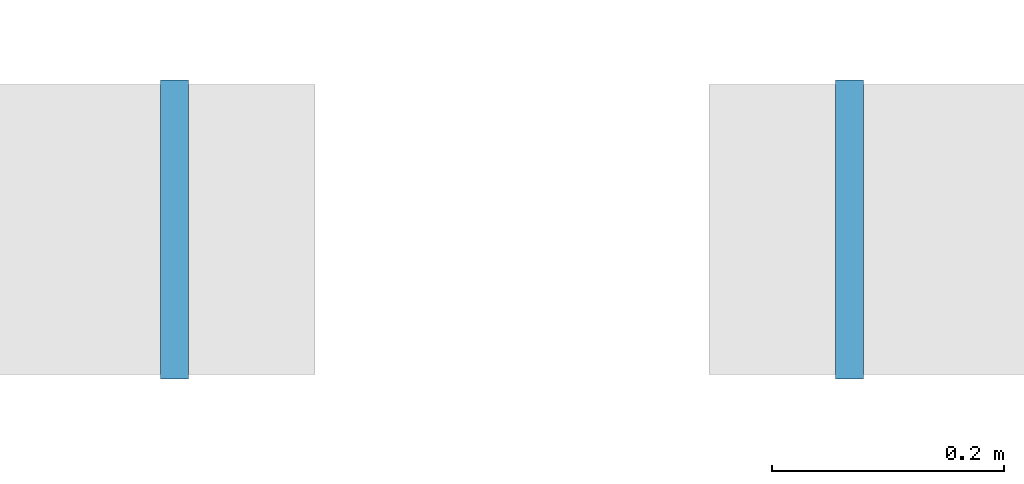
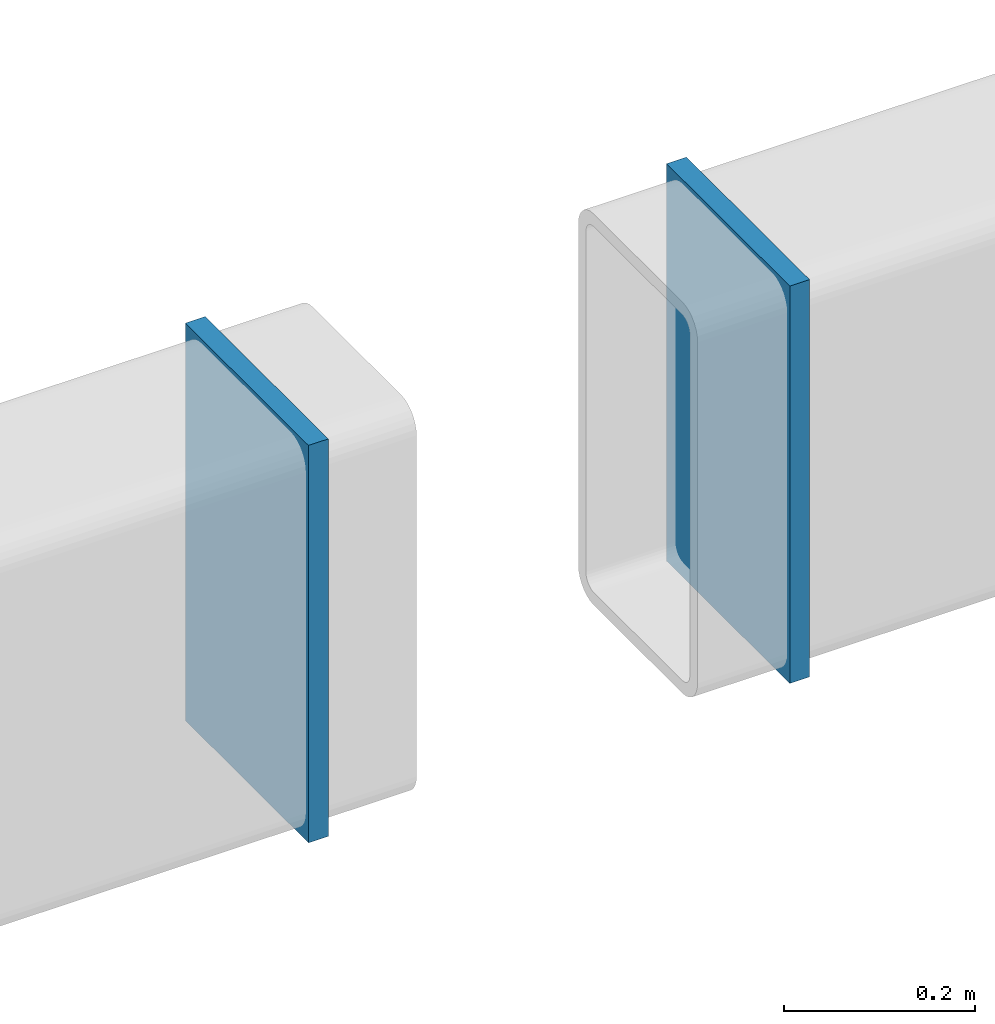
# One storey, part 29 of 45: 2 plates.
"""IFC4 building model written with IfcOpenShell, lengths in metres."""

from ifc_helpers import new_model, si_unit, direction, frame, origin, origin_2d, place, context, subcontext, project, spatial, rectangle, extrude, material, layer, layer_set, type_object, element, save


model = new_model("IFC4")

# Units and contexts
model_context = context("Model", 3, precision=1e-05, world=origin(), true_north=direction((0.0, 1.0)))
body_context = subcontext(model_context, "Body", "Model", "MODEL_VIEW")
ifc_project = project(units=[si_unit("LENGTHUNIT", "METRE"), si_unit("AREAUNIT", "SQUARE_METRE"), si_unit("VOLUMEUNIT", "CUBIC_METRE"), si_unit("PLANEANGLEUNIT", "RADIAN"), si_unit("MASSUNIT", "GRAM", prefix="KILO")], contexts=[model_context])

# Site, building, storey
site_placement = place(None, origin())
site = spatial("IfcSite", under=ifc_project, at=site_placement, CompositionType="ELEMENT")
building_placement = place(site_placement, origin())
building = spatial("IfcBuilding", under=site, at=building_placement, Name="Yukiwa Park Conservatory and Herbarium", CompositionType="ELEMENT")
storey_placement = place(building_placement, frame((0.0, 0.0, 9.0)))
storey = spatial("IfcBuildingStorey", under=building, at=storey_placement, Name="L02", CompositionType="ELEMENT", Elevation=9.0)

# Plates
ifc_material = material(Name="Steel Q355D", Category="steel")
ifc_layer = layer(ifc_material, 0.02392578125)
ifc_layer_set = layer_set([ifc_layer], Name="Steel Q355D")
plate_type = type_object("IfcPlateType", Name="PL-CAP-24", PredefinedType="USERDEFINED", material=ifc_layer_set)
for number, where, z_axis, x_axis, name in (
    (1, (29.697021484375, 31.199951171875, -0.25), (1.0, 0.0, 0.0), (0.0, 1.0, 0.0), "Hollow section end cap plate CAP-VRNG-N-4B"),
    (2, (30.302978515625, 31.199951171875, -0.25), (-1.0, 0.0, 0.0), (0.0, -1.0, 0.0), "Hollow section end cap plate CAP-VRNG-N-5A"),
):
    element("IfcPlate", number, at=place(storey_placement, frame(where, z_axis=z_axis, x_axis=x_axis)), inside=storey, type_object=plate_type, Name=name, ObjectType="END CAP PLATE", PredefinedType="USERDEFINED", context=body_context, shape_type="SweptSolid", body=[
        extrude(rectangle(XDim=0.258056640625, YDim=0.508056640625, at=origin_2d()), origin(), (0.0, 0.0, 1.0), 0.02392578125),
    ])

save(model, "model.ifc")
